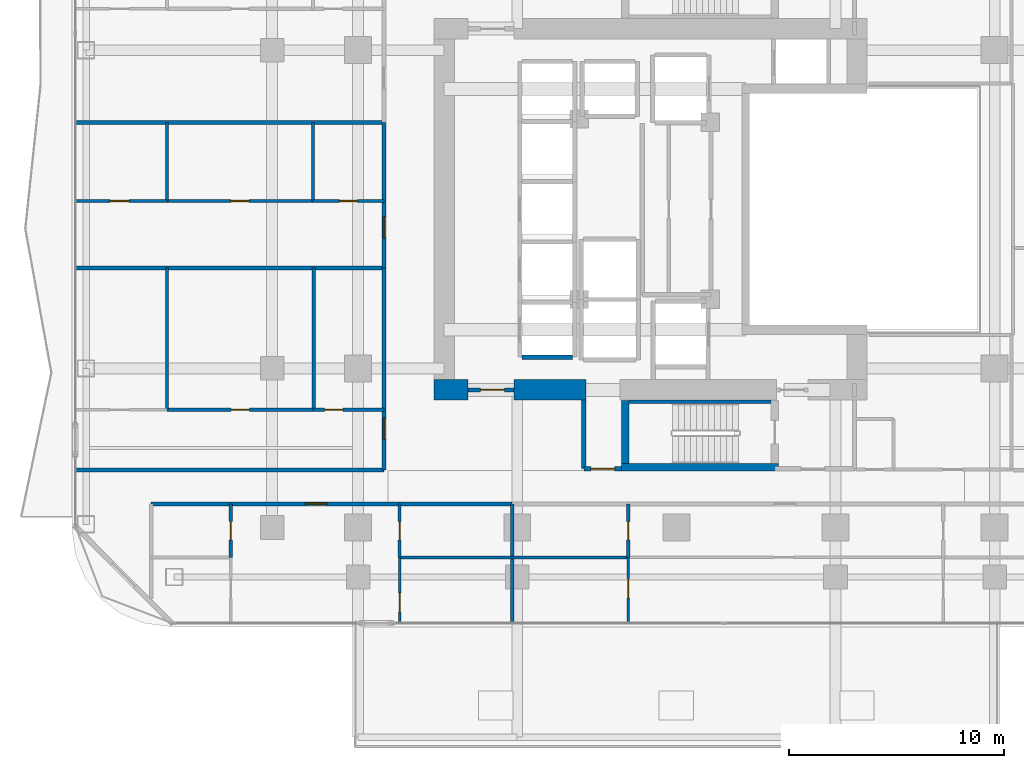
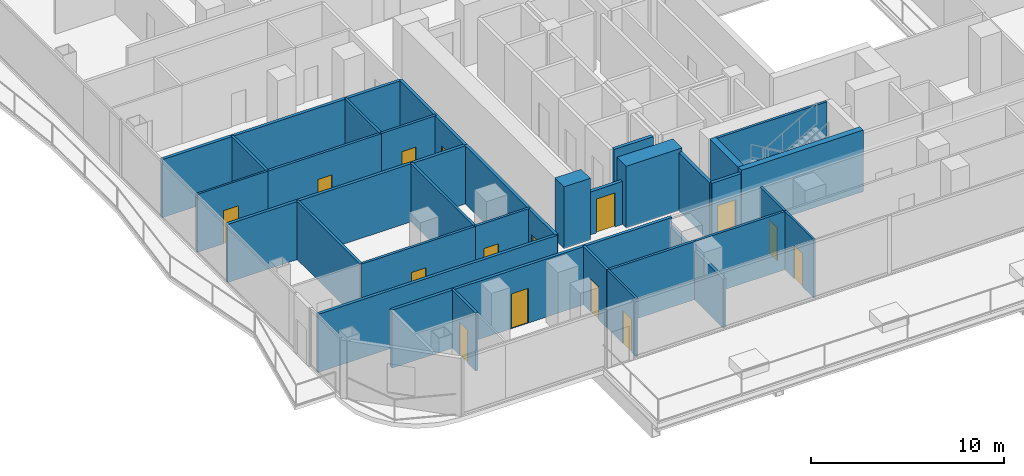
# One storey, part 19 of 29: 32 walls, 15 doors, 15 openings.
"""IFC4 building model written with IfcOpenShell, lengths in metres."""

from ifc_helpers import new_model, si_unit, direction, frame, frame_2d, origin, place, context, subcontext, project, spatial, rectangle, extrude, material, layer, layer_set, type_object, element, fill, save


model = new_model("IFC4")

# Units and contexts
model_context = context("Model", 3, precision=1e-05, world=origin(), true_north=direction((0.0, 1.0)))
body_context = subcontext(model_context, "Body", "Model", "MODEL_VIEW")
ifc_project = project(units=[si_unit("LENGTHUNIT", "METRE"), si_unit("AREAUNIT", "SQUARE_METRE"), si_unit("VOLUMEUNIT", "CUBIC_METRE"), si_unit("PLANEANGLEUNIT", "RADIAN"), si_unit("MASSUNIT", "GRAM", prefix="KILO")], contexts=[model_context])

# Site, building, storey
site_placement = place(None, origin())
site = spatial("IfcSite", under=ifc_project, at=site_placement, CompositionType="ELEMENT")
building_placement = place(site_placement, origin())
building = spatial("IfcBuilding", under=site, at=building_placement, Name="Khorvyn Point Tower", CompositionType="ELEMENT")
storey_placement = place(building_placement, frame((0.0, 0.0, 85.199951171875)))
storey = spatial("IfcBuildingStorey", under=building, at=storey_placement, Name="L21", CompositionType="ELEMENT", Elevation=85.199951171875)

# Wall, opening, door
ifc_material_1 = material(Name="Double acoustic gypsum on twin steel stud", Category="steel")
ifc_layer_1 = layer(ifc_material_1, 0.179931640625)
ifc_layer_set_1 = layer_set([ifc_layer_1], Name="Acoustic Double-Stud Apartment Demising Wall 180")
wall_type_1 = type_object("IfcWallType", Name="Acoustic Double-Stud Apartment Demising Wall 180", PredefinedType="PARTITIONING", material=ifc_layer_set_1)
wall_1_placement = place(storey_placement, frame((-24.419921875, -13.699951171875, 0.0), z_axis=(0.0, 0.0, 1.0), x_axis=(1.0, 0.0, 0.0)))
wall_1 = element("IfcWall", 1, at=wall_1_placement, inside=storey, type_object=wall_type_1, Name="Wall", PredefinedType="PARTITIONING", context=body_context, shape_type="SweptSolid", body=[
    extrude(rectangle(XDim=16.785888671875, YDim=0.179931640625, at=frame_2d((8.39306640625, 0.0))), origin(), (0.0, 0.0, 1.0), 3.679931640625),
])
opening_1_placement = place(wall_1_placement, frame((7.173583984375, 0.0, 0.0)))
opening_1 = element("IfcOpeningElement", 2, at=opening_1_placement, cuts=wall_1, Name="Opening ID-AP60", PredefinedType="OPENING", context=body_context, shape_type="SweptSolid", body=[
    extrude(rectangle(XDim=1.0, YDim=2.199951171875, at=frame_2d((0.5, 1.10009765625))), frame((0.0, 0.099853515625, 0.0), z_axis=(0.0, -1.0, 0.0), x_axis=(1.0, 0.0, 0.0)), (0.0, 0.0, 1.0), 0.199951171875),
])
ifc_material_2 = material(Name="Engineered hardwood fire-rated leaf", Category="wood")
door_type_1 = type_object("IfcDoorType", Name="Acoustic Solid-Core Timber Apartment Entrance Door 1000x2200", OperationType="NOTDEFINED", PredefinedType="DOOR", material=ifc_material_2)
door_1_placement = place(opening_1_placement, origin())
door_1 = element("IfcDoor", 3, at=door_1_placement, inside=storey, type_object=door_type_1, Name="Door", OperationType="SINGLE_SWING_RIGHT", OverallHeight=2.199951171875, OverallWidth=1.0, PredefinedType="DOOR", context=body_context, shape_type="SweptSolid", body=[
    extrude(rectangle(XDim=1.0, YDim=2.199951171875, at=frame_2d((0.5, 1.10009765625))), frame((0.0, 0.02490234375, 0.0), z_axis=(0.0, -1.0, 0.0), x_axis=(1.0, 0.0, 0.0)), (0.0, 0.0, 1.0), 0.050048828125),
])
fill(opening_1, door_1)

wall_2_placement = place(storey_placement, frame((-13.60009765625, -12.1201171875, 0.0), z_axis=(0.0, 0.0, 1.0), x_axis=(0.0, 1.0, 0.0)))
wall_2 = element("IfcWall", 4, at=wall_2_placement, inside=storey, type_object=wall_type_1, Name="Wall", PredefinedType="PARTITIONING", context=body_context, shape_type="SweptSolid", body=[
    extrude(rectangle(XDim=9.38916015625, YDim=0.179931640625, at=frame_2d((4.694580078125, 0.0))), origin(), (0.0, 0.0, 1.0), 3.679931640625),
])
opening_2_placement = place(wall_2_placement, frame((1.415283203125, 0.0, 0.0)))
opening_2 = element("IfcOpeningElement", 5, at=opening_2_placement, cuts=wall_2, Name="Opening ID-AP60", PredefinedType="OPENING", context=body_context, shape_type="SweptSolid", body=[
    extrude(rectangle(XDim=1.0, YDim=2.199951171875, at=frame_2d((0.5, 1.10009765625))), frame((0.0, 0.099853515625, 0.0), z_axis=(0.0, -1.0, 0.0), x_axis=(1.0, 0.0, 0.0)), (0.0, 0.0, 1.0), 0.199951171875),
])
door_2_placement = place(opening_2_placement, origin())
door_2 = element("IfcDoor", 6, at=door_2_placement, inside=storey, type_object=door_type_1, Name="Door", OperationType="SINGLE_SWING_LEFT", OverallHeight=2.199951171875, OverallWidth=1.0, PredefinedType="DOOR", context=body_context, shape_type="SweptSolid", body=[
    extrude(rectangle(XDim=1.0, YDim=2.199951171875, at=frame_2d((0.5, 1.10009765625))), frame((0.0, 0.02490234375, 0.0), z_axis=(0.0, -1.0, 0.0), x_axis=(1.0, 0.0, 0.0)), (0.0, 0.0, 1.0), 0.050048828125),
])
fill(opening_2, door_2)

wall_3_placement = place(storey_placement, frame((-13.60009765625, -2.73095703125, 0.0), z_axis=(0.0, 0.0, 1.0), x_axis=(0.0, 1.0, 0.0)))
wall_3 = element("IfcWall", 7, at=wall_3_placement, inside=storey, type_object=wall_type_1, Name="Wall", PredefinedType="PARTITIONING", context=body_context, shape_type="SweptSolid", body=[
    extrude(rectangle(XDim=6.77099609375, YDim=0.179931640625, at=frame_2d((3.385498046875, 0.0))), origin(), (0.0, 0.0, 1.0), 3.679931640625),
])
opening_3_placement = place(wall_3_placement, frame((1.390869140625, 0.0, 0.0)))
opening_3 = element("IfcOpeningElement", 8, at=opening_3_placement, cuts=wall_3, Name="Opening ID-AP60", PredefinedType="OPENING", context=body_context, shape_type="SweptSolid", body=[
    extrude(rectangle(XDim=1.0, YDim=2.199951171875, at=frame_2d((0.5, 1.10009765625))), frame((0.0, 0.099853515625, 0.0), z_axis=(0.0, -1.0, 0.0), x_axis=(1.0, 0.0, 0.0)), (0.0, 0.0, 1.0), 0.199951171875),
])
door_3_placement = place(opening_3_placement, origin())
door_3 = element("IfcDoor", 9, at=door_3_placement, inside=storey, type_object=door_type_1, Name="Door", OperationType="SINGLE_SWING_LEFT", OverallHeight=2.199951171875, OverallWidth=1.0, PredefinedType="DOOR", context=body_context, shape_type="SweptSolid", body=[
    extrude(rectangle(XDim=1.0, YDim=2.199951171875, at=frame_2d((0.5, 1.10009765625))), frame((0.0, 0.02490234375, 0.0), z_axis=(0.0, -1.0, 0.0), x_axis=(1.0, 0.0, 0.0)), (0.0, 0.0, 1.0), 0.050048828125),
])
fill(opening_3, door_3)

# Walls
wall_4_placement = place(storey_placement, frame((-7.634033203125, -19.22998046875, 0.0), z_axis=(0.0, 0.0, 1.0), x_axis=(0.0, 1.0, 0.0)))
element("IfcWall", 10, at=wall_4_placement, inside=storey, type_object=wall_type_1, Name="Wall", PredefinedType="PARTITIONING", context=body_context, shape_type="SweptSolid", body=[
    extrude(rectangle(XDim=5.530029296875, YDim=0.179931640625, at=frame_2d((2.76513671875, 0.0))), origin(), (0.0, 0.0, 1.0), 3.08203125),
])
for number, where, z_axis, x_axis, name in (
    (11, (-27.929931640625, -2.73095703125, 0.0), (0.0, 0.0, 1.0), (1.0, 0.0, 0.0), "Wall"),
    (12, (-27.929931640625, 4.0400390625, 0.0), (0.0, 0.0, 1.0), (1.0, 0.0, 0.0), "Wall"),
    (13, (-27.929931640625, -12.1201171875, 0.0), (0.0, 0.0, 1.0), (1.0, 0.0, 0.0), "Wall"),
):
    element("IfcWall", number, at=place(storey_placement, frame(where, z_axis=z_axis, x_axis=x_axis)), inside=storey, type_object=wall_type_1, Name=name, PredefinedType="PARTITIONING", context=body_context, shape_type="SweptSolid", body=[
        extrude(rectangle(XDim=14.329833984375, YDim=0.179931640625, at=frame_2d((7.1650390625, 0.0))), origin(), (0.0, 0.0, 1.0), 3.679931640625),
    ])

# Wall, opening, door
ifc_material_3 = material(Name="Concrete C40/50", Category="concrete")
ifc_layer_2 = layer(ifc_material_3, 0.199951171875)
ifc_layer_set_2 = layer_set([ifc_layer_2], Name="Concrete C40/50 Fire-Lobby Compartment Wall 200")
wall_type_2 = type_object("IfcWallType", Name="Concrete C40/50 Fire-Lobby Compartment Wall 200", PredefinedType="SOLIDWALL", material=ifc_layer_set_2)
wall_5_placement = place(storey_placement, frame((-9.699951171875, -8.39990234375, 0.0), z_axis=(0.0, 0.0, 1.0), x_axis=(1.0, 0.0, 0.0)))
wall_5 = element("IfcWall", 14, at=wall_5_placement, inside=storey, type_object=wall_type_2, Name="Wall", PredefinedType="SOLIDWALL", context=body_context, shape_type="SweptSolid", body=[
    extrude(rectangle(XDim=2.14990234375, YDim=0.199951171875, at=frame_2d((1.074951171875, 0.0))), origin(), (0.0, 0.0, 1.0), 2.719970703125),
])
opening_4_placement = place(wall_5_placement, frame((0.597900390625, 0.0, 0.0)))
opening_4 = element("IfcOpeningElement", 15, at=opening_4_placement, cuts=wall_5, Name="Opening ID-FL90", PredefinedType="OPENING", context=body_context, shape_type="SweptSolid", body=[
    extrude(rectangle(XDim=1.10009765625, YDim=2.14990234375, at=frame_2d((0.550048828125, 1.074951171875))), frame((0.0, 0.10986328125, 0.0), z_axis=(0.0, -1.0, 0.0), x_axis=(1.0, 0.0, 0.0)), (0.0, 0.0, 1.0), 0.219970703125),
])
ifc_material_4 = material(Name="Galvanised powder-coated steel", Category="steel")
door_type_2 = type_object("IfcDoorType", Name="Fire-Rated Steel Lobby and Stair Door 1100x2150", OperationType="NOTDEFINED", PredefinedType="DOOR", material=ifc_material_4)
door_4_placement = place(opening_4_placement, origin())
door_4 = element("IfcDoor", 16, at=door_4_placement, inside=storey, type_object=door_type_2, Name="Door", OperationType="SINGLE_SWING_LEFT", OverallHeight=2.14990234375, OverallWidth=1.10009765625, PredefinedType="DOOR", context=body_context, shape_type="SweptSolid", body=[
    extrude(rectangle(XDim=1.10009765625, YDim=2.14990234375, at=frame_2d((0.550048828125, 1.074951171875))), frame((0.0, 0.02490234375, 0.0), z_axis=(0.0, -1.0, 0.0), x_axis=(1.0, 0.0, 0.0)), (0.0, 0.0, 1.0), 0.050048828125),
])
fill(opening_4, door_4)

wall_6_placement = place(storey_placement, frame((-4.300048828125, -12.06005859375, 0.0), z_axis=(0.0, 0.0, 1.0), x_axis=(1.0, 0.0, 0.0)))
wall_6 = element("IfcWall", 17, at=wall_6_placement, inside=storey, type_object=wall_type_2, Name="Wall", PredefinedType="SOLIDWALL", context=body_context, shape_type="SweptSolid", body=[
    extrude(rectangle(XDim=1.75, YDim=0.199951171875, at=frame_2d((0.875, 0.0))), origin(), (0.0, 0.0, 1.0), 3.679931640625),
])
opening_5_placement = place(wall_6_placement, frame((0.324951171875, 0.0, 0.0)))
opening_5 = element("IfcOpeningElement", 18, at=opening_5_placement, cuts=wall_6, Name="Opening ID-FL90", PredefinedType="OPENING", context=body_context, shape_type="SweptSolid", body=[
    extrude(rectangle(XDim=1.10009765625, YDim=2.14990234375, at=frame_2d((0.550048828125, 1.074951171875))), frame((0.0, 0.10986328125, 0.0), z_axis=(0.0, -1.0, 0.0), x_axis=(1.0, 0.0, 0.0)), (0.0, 0.0, 1.0), 0.219970703125),
])
door_5_placement = place(opening_5_placement, origin())
door_5 = element("IfcDoor", 19, at=door_5_placement, inside=storey, type_object=door_type_2, Name="Door", OperationType="SINGLE_SWING_LEFT", OverallHeight=2.14990234375, OverallWidth=1.10009765625, PredefinedType="DOOR", context=body_context, shape_type="SweptSolid", body=[
    extrude(rectangle(XDim=1.10009765625, YDim=2.14990234375, at=frame_2d((0.550048828125, 1.074951171875))), frame((0.0, 0.02490234375, 0.0), z_axis=(0.0, -1.0, 0.0), x_axis=(1.0, 0.0, 0.0)), (0.0, 0.0, 1.0), 0.050048828125),
])
fill(opening_5, door_5)

# Walls
wall_7_placement = place(storey_placement, frame((-4.300048828125, -12.06005859375, 0.0), z_axis=(0.0, 0.0, 1.0), x_axis=(0.0, 1.0, 0.0)))
element("IfcWall", 20, at=wall_7_placement, inside=storey, type_object=wall_type_2, Name="Wall", PredefinedType="SOLIDWALL", context=body_context, shape_type="SweptSolid", body=[
    extrude(rectangle(XDim=3.18505859375, YDim=0.199951171875, at=frame_2d((1.592529296875, 0.0))), origin(), (0.0, 0.0, 1.0), 3.679931640625),
])
ifc_layer_3 = layer(ifc_material_3, 0.25)
ifc_layer_set_3 = layer_set([ifc_layer_3], Name="Concrete C40/50 Stair Inner Cheek Structural Wall 250")
wall_type_3 = type_object("IfcWallType", Name="Concrete C40/50 Stair Inner Cheek Structural Wall 250", PredefinedType="SHEAR", material=ifc_layer_set_3)
wall_8_placement = place(storey_placement, frame((-2.199951171875, -8.949951171875, 0.0), z_axis=(0.0, 0.0, 1.0), x_axis=(1.0, 0.0, 0.0)))
element("IfcWall", 21, at=wall_8_placement, inside=storey, type_object=wall_type_3, Name="Wall", PredefinedType="SHEAR", context=body_context, shape_type="SweptSolid", body=[
    extrude(rectangle(XDim=6.599853515625, YDim=0.14990234375, at=frame_2d((3.2998046875, 0.0))), origin(), (0.0, 0.0, 1.0), 3.900146484375),
])
ifc_layer_4 = layer(ifc_material_3, 0.35009765625)
ifc_layer_set_4 = layer_set([ifc_layer_4], Name="Concrete C40/50 Stair Shaft Structural Wall 350")
wall_type_4 = type_object("IfcWallType", Name="Concrete C40/50 Stair Shaft Structural Wall 350", PredefinedType="SHEAR", material=ifc_layer_set_4)
wall_9_placement = place(storey_placement, frame((-2.554931640625, -12.0, 0.0), z_axis=(0.0, 0.0, 1.0), x_axis=(1.0, 0.0, 0.0)))
element("IfcWall", 22, at=wall_9_placement, inside=storey, type_object=wall_type_4, Name="L21 ST-01 South Shaft Wall", PredefinedType="SHEAR", context=body_context, shape_type="SweptSolid", body=[
    extrude(rectangle(XDim=7.309814453125, YDim=0.35009765625, at=frame_2d((3.65478515625, 0.0))), origin(), (0.0, 0.0, 1.0), 3.900146484375),
])
wall_10_placement = place(storey_placement, frame((-2.3798828125, -11.824951171875, 0.0), z_axis=(0.0, 0.0, 1.0), x_axis=(0.0, 1.0, 0.0)))
element("IfcWall", 23, at=wall_10_placement, inside=storey, type_object=wall_type_4, Name="L21 ST-01 West Shaft Wall", PredefinedType="SHEAR", context=body_context, shape_type="SweptSolid", body=[
    extrude(rectangle(XDim=2.925048828125, YDim=0.35009765625, at=frame_2d((1.46240234375, 0.0))), origin(), (0.0, 0.0, 1.0), 3.900146484375),
])
ifc_layer_5 = layer(ifc_material_3, 0.199951171875)
ifc_layer_set_5 = layer_set([ifc_layer_5], Name="Concrete C40/50 Structural Hoistway and Stair Shaft Wall 200")
wall_type_5 = type_object("IfcWallType", Name="Concrete C40/50 Structural Hoistway and Stair Shaft Wall 200", PredefinedType="SHEAR", material=ifc_layer_set_5)
wall_11_placement = place(storey_placement, frame((-7.175048828125, -6.875, 0.0), z_axis=(0.0, 0.0, 1.0), x_axis=(1.0, 0.0, 0.0)))
element("IfcWall", 24, at=wall_11_placement, inside=storey, type_object=wall_type_5, Name="Wall", PredefinedType="SHEAR", context=body_context, shape_type="SweptSolid", body=[
    extrude(rectangle(XDim=2.35009765625, YDim=0.199951171875, at=frame_2d((1.175048828125, 0.0))), origin(), (0.0, 0.0, 1.0), 3.679931640625),
])
ifc_material_5 = material(Name="Concrete C50/60", Category="concrete")
ifc_layer_6 = layer(ifc_material_5, 0.949951171875)
ifc_layer_set_6 = layer_set([ifc_layer_6], Name="Concrete C50/60 Core Shear Wall 950")
wall_type_6 = type_object("IfcWallType", Name="Concrete C50/60 Core Shear Wall 950", PredefinedType="SHEAR", material=ifc_layer_set_6)
wall_12_placement = place(storey_placement, frame((-11.27490234375, -8.39990234375, 0.0), z_axis=(0.0, 0.0, 1.0), x_axis=(1.0, 0.0, 0.0)))
element("IfcWall", 25, at=wall_12_placement, inside=storey, type_object=wall_type_6, Name="Wall", PredefinedType="SHEAR", context=body_context, shape_type="SweptSolid", body=[
    extrude(rectangle(XDim=1.574951171875, YDim=0.949951171875, at=frame_2d((0.78759765625, 0.0))), origin(), (0.0, 0.0, 1.0), 3.900146484375),
])
wall_13_placement = place(storey_placement, frame((-7.550048828125, -8.39990234375, 0.0), z_axis=(0.0, 0.0, 1.0), x_axis=(1.0, 0.0, 0.0)))
element("IfcWall", 26, at=wall_13_placement, inside=storey, type_object=wall_type_6, Name="Wall", PredefinedType="SHEAR", context=body_context, shape_type="SweptSolid", body=[
    extrude(rectangle(XDim=3.35009765625, YDim=0.949951171875, at=frame_2d((1.675048828125, 0.0))), origin(), (0.0, 0.0, 1.0), 3.900146484375),
])

# Wall, opening, door
ifc_material_6 = material(Name="Gypsum plasterboard on steel stud", Category="steel")
ifc_layer_7 = layer(ifc_material_6, 0.1201171875)
ifc_layer_set_7 = layer_set([ifc_layer_7], Name="Gypsum Acoustic Stud Room Partition Wall 120")
wall_type_7 = type_object("IfcWallType", Name="Gypsum Acoustic Stud Room Partition Wall 120", PredefinedType="PARTITIONING", material=ifc_layer_set_7)
wall_14_placement = place(storey_placement, frame((-12.87109375, -19.22998046875, 0.0), z_axis=(0.0, 0.0, 1.0), x_axis=(0.0, 1.0, 0.0)))
wall_14 = element("IfcWall", 27, at=wall_14_placement, inside=storey, type_object=wall_type_7, Name="Wall", PredefinedType="PARTITIONING", context=body_context, shape_type="SweptSolid", body=[
    extrude(rectangle(XDim=3.0400390625, YDim=0.1201171875, at=frame_2d((1.52001953125, 0.0))), origin(), (0.0, 0.0, 1.0), 3.679931640625),
])
opening_6_placement = place(wall_14_placement, frame((0.490966796875, 0.0, 0.0)))
opening_6 = element("IfcOpeningElement", 28, at=opening_6_placement, cuts=wall_14, Name="Opening ID-RM90", PredefinedType="OPENING", context=body_context, shape_type="SweptSolid", body=[
    extrude(rectangle(XDim=0.89990234375, YDim=2.10009765625, at=frame_2d((0.449951171875, 1.050048828125))), frame((0.0, 0.070068359375, 0.0), z_axis=(0.0, -1.0, 0.0), x_axis=(1.0, 0.0, 0.0)), (0.0, 0.0, 1.0), 0.14013671875),
])
ifc_material_7 = material(Name="Engineered oak veneer timber", Category="wood")
door_type_3 = type_object("IfcDoorType", Name="Flush Engineered Timber Room Door 900x2100", OperationType="NOTDEFINED", PredefinedType="DOOR", material=ifc_material_7)
door_6_placement = place(opening_6_placement, origin())
door_6 = element("IfcDoor", 29, at=door_6_placement, inside=storey, type_object=door_type_3, Name="Door", OperationType="SINGLE_SWING_RIGHT", OverallHeight=2.10009765625, OverallWidth=0.89990234375, PredefinedType="DOOR", context=body_context, shape_type="SweptSolid", body=[
    extrude(rectangle(XDim=0.89990234375, YDim=2.10009765625, at=frame_2d((0.449951171875, 1.050048828125))), frame((0.0, 0.02490234375, 0.0), z_axis=(0.0, -1.0, 0.0), x_axis=(1.0, 0.0, 0.0)), (0.0, 0.0, 1.0), 0.050048828125),
])
fill(opening_6, door_6)

wall_15_placement = place(storey_placement, frame((-2.239990234375, -19.22998046875, 0.0), z_axis=(0.0, 0.0, 1.0), x_axis=(0.0, 1.0, 0.0)))
wall_15 = element("IfcWall", 30, at=wall_15_placement, inside=storey, type_object=wall_type_7, Name="Wall", PredefinedType="PARTITIONING", context=body_context, shape_type="SweptSolid", body=[
    extrude(rectangle(XDim=3.0400390625, YDim=0.1201171875, at=frame_2d((1.52001953125, 0.0))), origin(), (0.0, 0.0, 1.0), 3.679931640625),
])
opening_7_placement = place(wall_15_placement, frame((1.152587890625, 0.0, 0.0)))
opening_7 = element("IfcOpeningElement", 31, at=opening_7_placement, cuts=wall_15, Name="Opening ID-RM90", PredefinedType="OPENING", context=body_context, shape_type="SweptSolid", body=[
    extrude(rectangle(XDim=0.89990234375, YDim=2.10009765625, at=frame_2d((0.449951171875, 1.050048828125))), frame((0.0, 0.070068359375, 0.0), z_axis=(0.0, -1.0, 0.0), x_axis=(1.0, 0.0, 0.0)), (0.0, 0.0, 1.0), 0.14013671875),
])
door_7_placement = place(opening_7_placement, origin())
door_7 = element("IfcDoor", 32, at=door_7_placement, inside=storey, type_object=door_type_3, Name="Door", OperationType="SINGLE_SWING_RIGHT", OverallHeight=2.10009765625, OverallWidth=0.89990234375, PredefinedType="DOOR", context=body_context, shape_type="SweptSolid", body=[
    extrude(rectangle(XDim=0.89990234375, YDim=2.10009765625, at=frame_2d((0.449951171875, 1.050048828125))), frame((0.0, 0.02490234375, 0.0), z_axis=(0.0, -1.0, 0.0), x_axis=(1.0, 0.0, 0.0)), (0.0, 0.0, 1.0), 0.050048828125),
])
fill(opening_7, door_7)

wall_16_placement = place(storey_placement, frame((-27.929931640625, 0.384033203125, 0.0), z_axis=(0.0, 0.0, 1.0), x_axis=(1.0, 0.0, 0.0)))
wall_16 = element("IfcWall", 33, at=wall_16_placement, inside=storey, type_object=wall_type_7, Name="Wall", PredefinedType="PARTITIONING", context=body_context, shape_type="SweptSolid", body=[
    extrude(rectangle(XDim=4.239990234375, YDim=0.1201171875, at=frame_2d((2.1201171875, 0.0))), origin(), (0.0, 0.0, 1.0), 3.679931640625),
])
opening_8_placement = place(wall_16_placement, frame((1.581298828125, 0.0, 0.0)))
opening_8 = element("IfcOpeningElement", 34, at=opening_8_placement, cuts=wall_16, Name="Opening ID-RM90", PredefinedType="OPENING", context=body_context, shape_type="SweptSolid", body=[
    extrude(rectangle(XDim=0.89990234375, YDim=2.10009765625, at=frame_2d((0.449951171875, 1.050048828125))), frame((0.0, 0.070068359375, 0.0), z_axis=(0.0, -1.0, 0.0), x_axis=(1.0, 0.0, 0.0)), (0.0, 0.0, 1.0), 0.14013671875),
])
door_8_placement = place(opening_8_placement, origin())
door_8 = element("IfcDoor", 35, at=door_8_placement, inside=storey, type_object=door_type_3, Name="Door", OperationType="SINGLE_SWING_RIGHT", OverallHeight=2.10009765625, OverallWidth=0.89990234375, PredefinedType="DOOR", context=body_context, shape_type="SweptSolid", body=[
    extrude(rectangle(XDim=0.89990234375, YDim=2.10009765625, at=frame_2d((0.449951171875, 1.050048828125))), frame((0.0, 0.02490234375, 0.0), z_axis=(0.0, -1.0, 0.0), x_axis=(1.0, 0.0, 0.0)), (0.0, 0.0, 1.0), 0.050048828125),
])
fill(opening_8, door_8)

ifc_material_8 = material(Name="Moisture-resistant gypsum and cement board", Category="gypsum")
ifc_layer_8 = layer(ifc_material_8, 0.14990234375)
ifc_layer_set_8 = layer_set([ifc_layer_8], Name="Moisture-Resistant Wet-Room Partition Wall 150")
wall_type_8 = type_object("IfcWallType", Name="Moisture-Resistant Wet-Room Partition Wall 150", PredefinedType="PARTITIONING", material=ifc_layer_set_8)
wall_17_placement = place(storey_placement, frame((-20.72607421875, -16.18994140625, 0.0), z_axis=(0.0, 0.0, 1.0), x_axis=(0.0, 1.0, 0.0)))
wall_17 = element("IfcWall", 36, at=wall_17_placement, inside=storey, type_object=wall_type_8, Name="Wall", PredefinedType="PARTITIONING", context=body_context, shape_type="SweptSolid", body=[
    extrude(rectangle(XDim=2.489990234375, YDim=0.14990234375, at=frame_2d((1.2451171875, 0.0))), origin(), (0.0, 0.0, 1.0), 3.679931640625),
])
opening_9_placement = place(wall_17_placement, frame((0.820068359375, 0.0, 0.0)))
opening_9 = element("IfcOpeningElement", 37, at=opening_9_placement, cuts=wall_17, Name="Opening ID-WC85", PredefinedType="OPENING", context=body_context, shape_type="SweptSolid", body=[
    extrude(rectangle(XDim=0.85009765625, YDim=2.10009765625, at=frame_2d((0.425048828125, 1.050048828125))), frame((0.0, 0.0849609375, 0.0), z_axis=(0.0, -1.0, 0.0), x_axis=(1.0, 0.0, 0.0)), (0.0, 0.0, 1.0), 0.169921875),
])
ifc_material_9 = material(Name="High-pressure laminate on moisture-resistant core", Category="wood")
door_type_4 = type_object("IfcDoorType", Name="Moisture-Resistant Accessible Washroom Door 850x2100", OperationType="NOTDEFINED", PredefinedType="DOOR", material=ifc_material_9)
door_9_placement = place(opening_9_placement, origin())
door_9 = element("IfcDoor", 38, at=door_9_placement, inside=storey, type_object=door_type_4, Name="Door", OperationType="SINGLE_SWING_LEFT", OverallHeight=2.10009765625, OverallWidth=0.85009765625, PredefinedType="DOOR", context=body_context, shape_type="SweptSolid", body=[
    extrude(rectangle(XDim=0.85009765625, YDim=2.10009765625, at=frame_2d((0.425048828125, 1.050048828125))), frame((0.0, 0.02490234375, 0.0), z_axis=(0.0, -1.0, 0.0), x_axis=(1.0, 0.0, 0.0)), (0.0, 0.0, 1.0), 0.050048828125),
])
fill(opening_9, door_9)

wall_18_placement = place(storey_placement, frame((-12.87109375, -16.18994140625, 0.0), z_axis=(0.0, 0.0, 1.0), x_axis=(0.0, 1.0, 0.0)))
wall_18 = element("IfcWall", 39, at=wall_18_placement, inside=storey, type_object=wall_type_8, Name="Wall", PredefinedType="PARTITIONING", context=body_context, shape_type="SweptSolid", body=[
    extrude(rectangle(XDim=2.489990234375, YDim=0.14990234375, at=frame_2d((1.2451171875, 0.0))), origin(), (0.0, 0.0, 1.0), 3.679931640625),
])
opening_10_placement = place(wall_18_placement, frame((0.820068359375, 0.0, 0.0)))
opening_10 = element("IfcOpeningElement", 40, at=opening_10_placement, cuts=wall_18, Name="Opening ID-WC85", PredefinedType="OPENING", context=body_context, shape_type="SweptSolid", body=[
    extrude(rectangle(XDim=0.85009765625, YDim=2.10009765625, at=frame_2d((0.425048828125, 1.050048828125))), frame((0.0, 0.0849609375, 0.0), z_axis=(0.0, -1.0, 0.0), x_axis=(1.0, 0.0, 0.0)), (0.0, 0.0, 1.0), 0.169921875),
])
door_10_placement = place(opening_10_placement, origin())
door_10 = element("IfcDoor", 41, at=door_10_placement, inside=storey, type_object=door_type_4, Name="Door", OperationType="SINGLE_SWING_LEFT", OverallHeight=2.10009765625, OverallWidth=0.85009765625, PredefinedType="DOOR", context=body_context, shape_type="SweptSolid", body=[
    extrude(rectangle(XDim=0.85009765625, YDim=2.10009765625, at=frame_2d((0.425048828125, 1.050048828125))), frame((0.0, 0.02490234375, 0.0), z_axis=(0.0, -1.0, 0.0), x_axis=(1.0, 0.0, 0.0)), (0.0, 0.0, 1.0), 0.050048828125),
])
fill(opening_10, door_10)

wall_19_placement = place(storey_placement, frame((-2.239990234375, -16.18994140625, 0.0), z_axis=(0.0, 0.0, 1.0), x_axis=(0.0, 1.0, 0.0)))
wall_19 = element("IfcWall", 42, at=wall_19_placement, inside=storey, type_object=wall_type_8, Name="Wall", PredefinedType="PARTITIONING", context=body_context, shape_type="SweptSolid", body=[
    extrude(rectangle(XDim=2.489990234375, YDim=0.14990234375, at=frame_2d((1.2451171875, 0.0))), origin(), (0.0, 0.0, 1.0), 3.679931640625),
])
opening_11_placement = place(wall_19_placement, frame((0.820068359375, 0.0, 0.0)))
opening_11 = element("IfcOpeningElement", 43, at=opening_11_placement, cuts=wall_19, Name="Opening ID-WC85", PredefinedType="OPENING", context=body_context, shape_type="SweptSolid", body=[
    extrude(rectangle(XDim=0.85009765625, YDim=2.10009765625, at=frame_2d((0.425048828125, 1.050048828125))), frame((0.0, 0.0849609375, 0.0), z_axis=(0.0, -1.0, 0.0), x_axis=(1.0, 0.0, 0.0)), (0.0, 0.0, 1.0), 0.169921875),
])
door_11_placement = place(opening_11_placement, origin())
door_11 = element("IfcDoor", 44, at=door_11_placement, inside=storey, type_object=door_type_4, Name="Door", OperationType="SINGLE_SWING_LEFT", OverallHeight=2.10009765625, OverallWidth=0.85009765625, PredefinedType="DOOR", context=body_context, shape_type="SweptSolid", body=[
    extrude(rectangle(XDim=0.85009765625, YDim=2.10009765625, at=frame_2d((0.425048828125, 1.050048828125))), frame((0.0, 0.02490234375, 0.0), z_axis=(0.0, -1.0, 0.0), x_axis=(1.0, 0.0, 0.0)), (0.0, 0.0, 1.0), 0.050048828125),
])
fill(opening_11, door_11)

wall_20_placement = place(storey_placement, frame((-23.68994140625, -9.320068359375, 0.0), z_axis=(0.0, 0.0, 1.0), x_axis=(1.0, 0.0, 0.0)))
wall_20 = element("IfcWall", 45, at=wall_20_placement, inside=storey, type_object=wall_type_8, Name="Wall", PredefinedType="PARTITIONING", context=body_context, shape_type="SweptSolid", body=[
    extrude(rectangle(XDim=6.826904296875, YDim=0.14990234375, at=frame_2d((3.41357421875, 0.0))), origin(), (0.0, 0.0, 1.0), 3.679931640625),
])
opening_12_placement = place(wall_20_placement, frame((2.988525390625, 0.0, 0.0)))
opening_12 = element("IfcOpeningElement", 46, at=opening_12_placement, cuts=wall_20, Name="Opening ID-WC85", PredefinedType="OPENING", context=body_context, shape_type="SweptSolid", body=[
    extrude(rectangle(XDim=0.85009765625, YDim=2.10009765625, at=frame_2d((0.425048828125, 1.050048828125))), frame((0.0, 0.0849609375, 0.0), z_axis=(0.0, -1.0, 0.0), x_axis=(1.0, 0.0, 0.0)), (0.0, 0.0, 1.0), 0.169921875),
])
door_12_placement = place(opening_12_placement, origin())
door_12 = element("IfcDoor", 47, at=door_12_placement, inside=storey, type_object=door_type_4, Name="Door", OperationType="SINGLE_SWING_RIGHT", OverallHeight=2.10009765625, OverallWidth=0.85009765625, PredefinedType="DOOR", context=body_context, shape_type="SweptSolid", body=[
    extrude(rectangle(XDim=0.85009765625, YDim=2.10009765625, at=frame_2d((0.425048828125, 1.050048828125))), frame((0.0, 0.02490234375, 0.0), z_axis=(0.0, -1.0, 0.0), x_axis=(1.0, 0.0, 0.0)), (0.0, 0.0, 1.0), 0.050048828125),
])
fill(opening_12, door_12)

wall_21_placement = place(storey_placement, frame((-16.863037109375, -9.320068359375, 0.0), z_axis=(0.0, 0.0, 1.0), x_axis=(1.0, 0.0, 0.0)))
wall_21 = element("IfcWall", 48, at=wall_21_placement, inside=storey, type_object=wall_type_8, Name="Wall", PredefinedType="PARTITIONING", context=body_context, shape_type="SweptSolid", body=[
    extrude(rectangle(XDim=3.262939453125, YDim=0.14990234375, at=frame_2d((1.63134765625, 0.0))), origin(), (0.0, 0.0, 1.0), 3.679931640625),
])
opening_13_placement = place(wall_21_placement, frame((0.5087890625, 0.0, 0.0)))
opening_13 = element("IfcOpeningElement", 49, at=opening_13_placement, cuts=wall_21, Name="Opening ID-WC85", PredefinedType="OPENING", context=body_context, shape_type="SweptSolid", body=[
    extrude(rectangle(XDim=0.85009765625, YDim=2.10009765625, at=frame_2d((0.425048828125, 1.050048828125))), frame((0.0, 0.0849609375, 0.0), z_axis=(0.0, -1.0, 0.0), x_axis=(1.0, 0.0, 0.0)), (0.0, 0.0, 1.0), 0.169921875),
])
door_13_placement = place(opening_13_placement, origin())
door_13 = element("IfcDoor", 50, at=door_13_placement, inside=storey, type_object=door_type_4, Name="Door", OperationType="SINGLE_SWING_LEFT", OverallHeight=2.10009765625, OverallWidth=0.85009765625, PredefinedType="DOOR", context=body_context, shape_type="SweptSolid", body=[
    extrude(rectangle(XDim=0.85009765625, YDim=2.10009765625, at=frame_2d((0.425048828125, 1.050048828125))), frame((0.0, 0.02490234375, 0.0), z_axis=(0.0, -1.0, 0.0), x_axis=(1.0, 0.0, 0.0)), (0.0, 0.0, 1.0), 0.050048828125),
])
fill(opening_13, door_13)

wall_22_placement = place(storey_placement, frame((-23.68994140625, 0.384033203125, 0.0), z_axis=(0.0, 0.0, 1.0), x_axis=(1.0, 0.0, 0.0)))
wall_22 = element("IfcWall", 51, at=wall_22_placement, inside=storey, type_object=wall_type_8, Name="Wall", PredefinedType="PARTITIONING", context=body_context, shape_type="SweptSolid", body=[
    extrude(rectangle(XDim=6.787841796875, YDim=0.14990234375, at=frame_2d((3.39404296875, 0.0))), origin(), (0.0, 0.0, 1.0), 3.679931640625),
])
opening_14_placement = place(wall_22_placement, frame((2.968994140625, 0.0, 0.0)))
opening_14 = element("IfcOpeningElement", 52, at=opening_14_placement, cuts=wall_22, Name="Opening ID-WC85", PredefinedType="OPENING", context=body_context, shape_type="SweptSolid", body=[
    extrude(rectangle(XDim=0.85009765625, YDim=2.10009765625, at=frame_2d((0.425048828125, 1.050048828125))), frame((0.0, 0.0849609375, 0.0), z_axis=(0.0, -1.0, 0.0), x_axis=(1.0, 0.0, 0.0)), (0.0, 0.0, 1.0), 0.169921875),
])
door_14_placement = place(opening_14_placement, origin())
door_14 = element("IfcDoor", 53, at=door_14_placement, inside=storey, type_object=door_type_4, Name="Door", OperationType="SINGLE_SWING_RIGHT", OverallHeight=2.10009765625, OverallWidth=0.85009765625, PredefinedType="DOOR", context=body_context, shape_type="SweptSolid", body=[
    extrude(rectangle(XDim=0.85009765625, YDim=2.10009765625, at=frame_2d((0.425048828125, 1.050048828125))), frame((0.0, 0.02490234375, 0.0), z_axis=(0.0, -1.0, 0.0), x_axis=(1.0, 0.0, 0.0)), (0.0, 0.0, 1.0), 0.050048828125),
])
fill(opening_14, door_14)

wall_23_placement = place(storey_placement, frame((-16.902099609375, 0.384033203125, 0.0), z_axis=(0.0, 0.0, 1.0), x_axis=(1.0, 0.0, 0.0)))
wall_23 = element("IfcWall", 54, at=wall_23_placement, inside=storey, type_object=wall_type_8, Name="Wall", PredefinedType="PARTITIONING", context=body_context, shape_type="SweptSolid", body=[
    extrude(rectangle(XDim=3.302001953125, YDim=0.14990234375, at=frame_2d((1.65087890625, 0.0))), origin(), (0.0, 0.0, 1.0), 3.679931640625),
])
opening_15_placement = place(wall_23_placement, frame((1.22607421875, 0.0, 0.0)))
opening_15 = element("IfcOpeningElement", 55, at=opening_15_placement, cuts=wall_23, Name="Opening ID-WC85", PredefinedType="OPENING", context=body_context, shape_type="SweptSolid", body=[
    extrude(rectangle(XDim=0.85009765625, YDim=2.10009765625, at=frame_2d((0.425048828125, 1.050048828125))), frame((0.0, 0.0849609375, 0.0), z_axis=(0.0, -1.0, 0.0), x_axis=(1.0, 0.0, 0.0)), (0.0, 0.0, 1.0), 0.169921875),
])
door_15_placement = place(opening_15_placement, origin())
door_15 = element("IfcDoor", 56, at=door_15_placement, inside=storey, type_object=door_type_4, Name="Door", OperationType="SINGLE_SWING_LEFT", OverallHeight=2.10009765625, OverallWidth=0.85009765625, PredefinedType="DOOR", context=body_context, shape_type="SweptSolid", body=[
    extrude(rectangle(XDim=0.85009765625, YDim=2.10009765625, at=frame_2d((0.425048828125, 1.050048828125))), frame((0.0, 0.02490234375, 0.0), z_axis=(0.0, -1.0, 0.0), x_axis=(1.0, 0.0, 0.0)), (0.0, 0.0, 1.0), 0.050048828125),
])
fill(opening_15, door_15)

# Walls
wall_24_placement = place(storey_placement, frame((-12.87109375, -16.18994140625, 0.0), z_axis=(0.0, 0.0, 1.0), x_axis=(1.0, 0.0, 0.0)))
element("IfcWall", 57, at=wall_24_placement, inside=storey, type_object=wall_type_8, Name="Wall", PredefinedType="PARTITIONING", context=body_context, shape_type="SweptSolid", body=[
    extrude(rectangle(XDim=5.237060546875, YDim=0.14990234375, at=frame_2d((2.61865234375, 0.0))), origin(), (0.0, 0.0, 1.0), 3.679931640625),
])
wall_25_placement = place(storey_placement, frame((-7.634033203125, -16.18994140625, 0.0), z_axis=(0.0, 0.0, 1.0), x_axis=(1.0, 0.0, 0.0)))
element("IfcWall", 58, at=wall_25_placement, inside=storey, type_object=wall_type_8, Name="Wall", PredefinedType="PARTITIONING", context=body_context, shape_type="SweptSolid", body=[
    extrude(rectangle(XDim=5.39404296875, YDim=0.14990234375, at=frame_2d((2.697021484375, 0.0))), origin(), (0.0, 0.0, 1.0), 3.679931640625),
])
for number, where, z_axis, x_axis, name in (
    (59, (-16.863037109375, -9.320068359375, 0.0), (0.0, 0.0, 1.0), (0.0, 1.0, 0.0), "Wall"),
    (60, (-23.68994140625, -9.320068359375, 0.0), (0.0, 0.0, 1.0), (0.0, 1.0, 0.0), "Wall"),
):
    element("IfcWall", number, at=place(storey_placement, frame(where, z_axis=z_axis, x_axis=x_axis)), inside=storey, type_object=wall_type_8, Name=name, PredefinedType="PARTITIONING", context=body_context, shape_type="SweptSolid", body=[
        extrude(rectangle(XDim=6.589111328125, YDim=0.14990234375, at=frame_2d((3.29443359375, 0.0))), origin(), (0.0, 0.0, 1.0), 3.679931640625),
    ])
for number, where, z_axis, x_axis, name in (
    (61, (-16.902099609375, 0.384033203125, 0.0), (0.0, 0.0, 1.0), (0.0, 1.0, 0.0), "Wall"),
    (62, (-23.68994140625, 0.384033203125, 0.0), (0.0, 0.0, 1.0), (0.0, 1.0, 0.0), "Wall"),
):
    element("IfcWall", number, at=place(storey_placement, frame(where, z_axis=z_axis, x_axis=x_axis)), inside=storey, type_object=wall_type_8, Name=name, PredefinedType="PARTITIONING", context=body_context, shape_type="SweptSolid", body=[
        extrude(rectangle(XDim=3.656005859375, YDim=0.14990234375, at=frame_2d((1.828125, 0.0))), origin(), (0.0, 0.0, 1.0), 3.679931640625),
    ])

save(model, "model.ifc")
